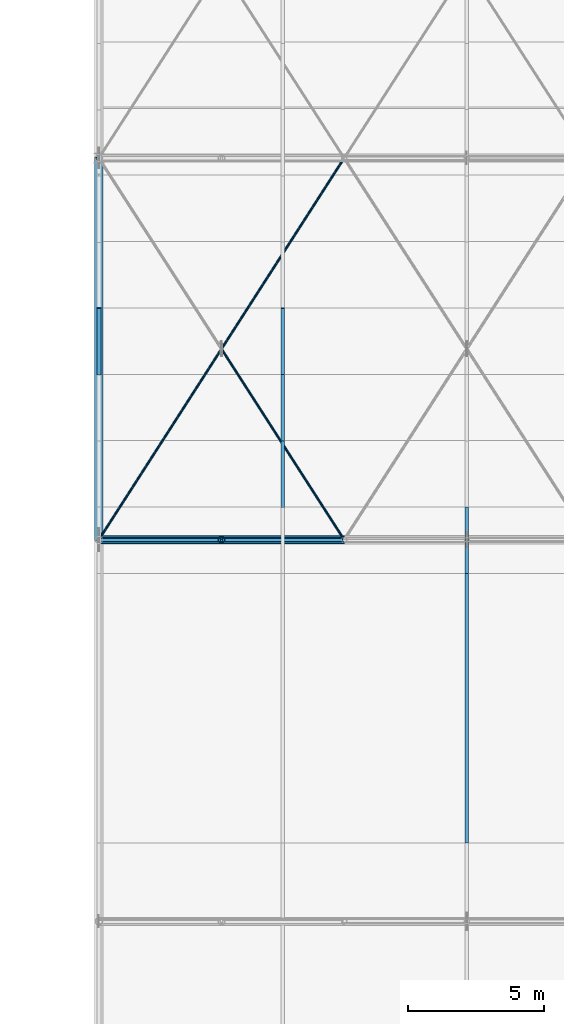
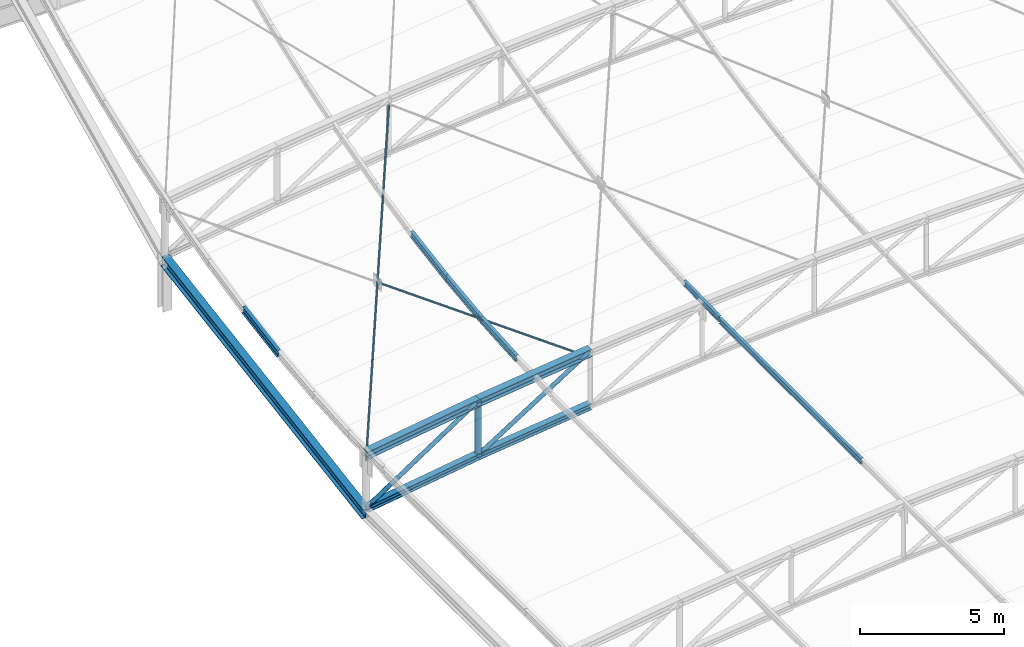
# One storey, part 172 of 262: 15 members, 1 beam.
"""IFC4 building model written with IfcOpenShell, lengths in metres."""

from ifc_helpers import new_model, si_unit, derived_unit, direction, frame, origin, origin_2d, place, context, subcontext, project, spatial, hollow_circle, i_section, extrude, material, material_profile, profile_set, type_object, element, save


model = new_model("IFC4")

# Units and contexts
model_context = context("Model", 3, precision=1e-05, world=origin(), true_north=direction((0.0, 1.0)))
body_context = subcontext(model_context, "Body", "Model", "MODEL_VIEW")
ifc_project = project(units=[si_unit("LENGTHUNIT", "METRE"), si_unit("AREAUNIT", "SQUARE_METRE"), si_unit("VOLUMEUNIT", "CUBIC_METRE"), si_unit("PLANEANGLEUNIT", "RADIAN"), si_unit("MASSUNIT", "GRAM", prefix="KILO"), derived_unit("THERMALTRANSMITTANCEUNIT", [(si_unit("POWERUNIT", "WATT"), 1), (si_unit("LENGTHUNIT", "METRE"), -2), (si_unit("THERMODYNAMICTEMPERATUREUNIT", "KELVIN"), -1)])], contexts=[model_context])

# Site, building, storey
site_placement = place(None, origin())
site = spatial("IfcSite", under=ifc_project, at=site_placement, CompositionType="ELEMENT")
building_placement = place(site_placement, origin())
building = spatial("IfcBuilding", under=site, at=building_placement, Name="Almenara Railside Exhibition Hall", CompositionType="ELEMENT")
storey_placement = place(building_placement, frame((0.0, 0.0, 21.699951171875)))
storey = spatial("IfcBuildingStorey", under=building, at=storey_placement, Name="RF", CompositionType="ELEMENT", Elevation=21.699951171875)

# Members
ifc_material = material(Name="Structural steel S355JR", Category="steel")
ifc_material_profile_1 = material_profile(ifc_material, i_section(OverallWidth=0.260009765625, OverallDepth=0.260009765625, WebThickness=0.010009765625, FlangeThickness=0.017578125, FilletRadius=0.02392578125, at=origin_2d()), Name="HEB 260")
ifc_profile_set_1 = profile_set([ifc_material_profile_1], Name="Structural steel S355JR")
member_type_1 = type_object("IfcMemberType", Name="Arched Truss Bottom Chord HEB 260 S355JR", PredefinedType="CHORD", material=ifc_profile_set_1)
member_1_placement = place(storey_placement, frame((138.0, 104.0, -9.585205078125), z_axis=(0.989021203369, 0.0, 0.147773675894), x_axis=(0.0, 1.0, 0.0)))
element("IfcMember", 1, at=member_1_placement, inside=storey, type_object=member_type_1, Name="MEM-BC-V2-05-00", PredefinedType="CHORD", context=body_context, shape_type="SweptSolid", body=[
    extrude(i_section(OverallWidth=0.260009765625, OverallDepth=0.260009765625, WebThickness=0.010009765625, FlangeThickness=0.017578125, FilletRadius=0.02392578125, at=origin_2d()), origin(), (0.0, 0.0, 1.0), 4.550048828125),
])
member_2_placement = place(storey_placement, frame((142.5, 104.0, -8.912841796875), z_axis=(0.992618705116, 0.0, 0.12127698155), x_axis=(0.0, 1.0, 0.0)))
element("IfcMember", 2, at=member_2_placement, inside=storey, type_object=member_type_1, Name="MEM-BC-V2-05-01", PredefinedType="CHORD", context=body_context, shape_type="SweptSolid", body=[
    extrude(i_section(OverallWidth=0.260009765625, OverallDepth=0.260009765625, WebThickness=0.010009765625, FlangeThickness=0.017578125, FilletRadius=0.02392578125, at=origin_2d()), origin(), (0.0, 0.0, 1.0), 4.533447265625),
])
ifc_material_profile_2 = material_profile(ifc_material, i_section(OverallWidth=0.300048828125, OverallDepth=0.320068359375, WebThickness=0.011474609375, FlangeThickness=0.0205078125, FilletRadius=0.027099609375, at=origin_2d()), Name="HEB 320")
ifc_profile_set_2 = profile_set([ifc_material_profile_2], Name="Structural steel S355JR")
member_type_2 = type_object("IfcMemberType", Name="Arched Truss Top Chord HEB 320 S355JR", PredefinedType="CHORD", material=ifc_profile_set_2)
member_3_placement = place(storey_placement, frame((138.0, 104.0, -7.28515625), z_axis=(0.9890290442, 0.0, 0.147721189165), x_axis=(0.0, 1.0, 0.0)))
element("IfcMember", 3, at=member_3_placement, inside=storey, type_object=member_type_2, Name="MEM-TC-V2-05-00", PredefinedType="CHORD", context=body_context, shape_type="SweptSolid", body=[
    extrude(i_section(OverallWidth=0.300048828125, OverallDepth=0.320068359375, WebThickness=0.011474609375, FlangeThickness=0.0205078125, FilletRadius=0.027099609375, at=origin_2d()), origin(), (0.0, 0.0, 1.0), 4.5498046875),
])
member_4_placement = place(storey_placement, frame((142.5, 104.0, -6.613037109375), z_axis=(0.992612220818, 0.0, 0.121330041965), x_axis=(0.0, 1.0, 0.0)))
element("IfcMember", 4, at=member_4_placement, inside=storey, type_object=member_type_2, Name="MEM-TC-V2-05-01", PredefinedType="CHORD", context=body_context, shape_type="SweptSolid", body=[
    extrude(i_section(OverallWidth=0.300048828125, OverallDepth=0.320068359375, WebThickness=0.011474609375, FlangeThickness=0.0205078125, FilletRadius=0.027099609375, at=origin_2d()), origin(), (0.0, 0.0, 1.0), 4.533447265625),
])
ifc_material_profile_3 = material_profile(ifc_material, hollow_circle(Radius=0.04443359375, WallThickness=0.00390625, at=origin_2d()), Name="CHS 88.9x4")
ifc_profile_set_3 = profile_set([ifc_material_profile_3], Name="Structural steel S355JR")
member_type_3 = type_object("IfcMemberType", Name="Canopy Tie Brace CHS 88.9x4 S355JR", PredefinedType="BRACE", material=ifc_profile_set_3)
member_5_placement = place(storey_placement, frame((138.0, 104.0, -7.565185546875), z_axis=(0.529240705516, 0.823263319692, 0.205284636724), x_axis=(-0.841178475377, 0.540757591313, 0.0)))
element("IfcMember", 5, at=member_5_placement, inside=storey, type_object=member_type_3, Name="MEM-WB-V2-WB-CHS89-05-00-C", PredefinedType="BRACE", context=body_context, shape_type="SweptSolid", body=[
    extrude(hollow_circle(Radius=0.04443359375, WallThickness=0.00390625, at=origin_2d()), origin(), (0.0, 0.0, 1.0), 17.005615234375),
])
member_6_placement = place(storey_placement, frame((147.0, 104.0, -6.343017578125), z_axis=(-0.539698970492, 0.839515369924, 0.062761173594), x_axis=(-0.841173681351, -0.540765048614, 0.0)))
element("IfcMember", 6, at=member_6_placement, inside=storey, type_object=member_type_3, Name="MEM-WB-V2-WB-CHS89-05-00-S1", PredefinedType="BRACE", context=body_context, shape_type="SweptSolid", body=[
    extrude(hollow_circle(Radius=0.04443359375, WallThickness=0.00390625, at=origin_2d()), origin(), (0.0, 0.0, 1.0), 8.28955078125),
])
ifc_material_profile_4 = material_profile(ifc_material, i_section(OverallWidth=0.14990234375, OverallDepth=0.300048828125, WebThickness=0.007080078125, FlangeThickness=0.0107421875, FilletRadius=0.014892578125, at=origin_2d()), Name="IPE 300")
ifc_profile_set_4 = profile_set([ifc_material_profile_4], Name="Structural steel S355JR")
member_type_4 = type_object("IfcMemberType", Name="East Hall Ridge Purlin IPE 300 S355JR", PredefinedType="PURLIN", material=ifc_profile_set_4)
member_7_placement = place(storey_placement, frame((138.0, 110.069580078125, -6.70751953125), z_axis=(0.0, 0.986449960692, 0.164062412058), x_axis=(-1.0, 0.0, 0.0)))
element("IfcMember", 7, at=member_7_placement, inside=storey, type_object=member_type_4, Name="MEM-PR-V2-PR-IPE300-00-19", PredefinedType="PURLIN", context=body_context, shape_type="SweptSolid", body=[
    extrude(i_section(OverallWidth=0.14990234375, OverallDepth=0.300048828125, WebThickness=0.007080078125, FlangeThickness=0.0107421875, FilletRadius=0.014892578125, at=origin_2d()), origin(), (0.0, 0.0, 1.0), 2.47021484375),
])
ifc_material_profile_5 = material_profile(ifc_material, i_section(OverallWidth=0.135009765625, OverallDepth=0.27001953125, WebThickness=0.006591796875, FlangeThickness=0.01025390625, FilletRadius=0.014892578125, at=origin_2d()), Name="IPE 270")
ifc_profile_set_5 = profile_set([ifc_material_profile_5], Name="Structural steel S355JR")
member_type_5 = type_object("IfcMemberType", Name="East Hall Standard Purlin IPE 270 S355JR", PredefinedType="PURLIN", material=ifc_profile_set_5)
member_8_placement = place(storey_placement, frame((144.75, 105.1962890625, -6.31884765625), z_axis=(0.0, 0.997528729247, 0.070259763216), x_axis=(-1.0, 0.0, 0.0)))
element("IfcMember", 8, at=member_8_placement, inside=storey, type_object=member_type_5, Name="MEM-PR-V2-PR-IPE270-01-17", PredefinedType="PURLIN", context=body_context, shape_type="SweptSolid", body=[
    extrude(i_section(OverallWidth=0.135009765625, OverallDepth=0.27001953125, WebThickness=0.006591796875, FlangeThickness=0.01025390625, FilletRadius=0.014892578125, at=origin_2d()), origin(), (0.0, 0.0, 1.0), 2.44287109375),
])
member_9_placement = place(storey_placement, frame((144.75, 107.633056640625, -6.148681640625), z_axis=(0.0, 0.993105700961, 0.117222296166), x_axis=(-1.0, 0.0, 0.0)))
element("IfcMember", 9, at=member_9_placement, inside=storey, type_object=member_type_5, Name="MEM-PR-V2-PR-IPE270-01-18", PredefinedType="PURLIN", context=body_context, shape_type="SweptSolid", body=[
    extrude(i_section(OverallWidth=0.135009765625, OverallDepth=0.27001953125, WebThickness=0.006591796875, FlangeThickness=0.01025390625, FilletRadius=0.014892578125, at=origin_2d()), origin(), (0.0, 0.0, 1.0), 2.453369140625),
])
member_10_placement = place(storey_placement, frame((144.75, 110.069580078125, -5.86328125), z_axis=(0.0, 0.986449960692, 0.164062412058), x_axis=(-1.0, 0.0, 0.0)))
element("IfcMember", 10, at=member_10_placement, inside=storey, type_object=member_type_5, Name="MEM-PR-V2-PR-IPE270-01-19", PredefinedType="PURLIN", context=body_context, shape_type="SweptSolid", body=[
    extrude(i_section(OverallWidth=0.135009765625, OverallDepth=0.27001953125, WebThickness=0.006591796875, FlangeThickness=0.01025390625, FilletRadius=0.014892578125, at=origin_2d()), origin(), (0.0, 0.0, 1.0), 2.47021484375),
])
ifc_material_profile_6 = material_profile(ifc_material, i_section(OverallWidth=0.1201171875, OverallDepth=0.239990234375, WebThickness=0.006103515625, FlangeThickness=0.009765625, FilletRadius=0.014892578125, at=origin_2d()), Name="IPE 240")
ifc_profile_set_6 = profile_set([ifc_material_profile_6], Name="Structural steel S355JR")
member_type_6 = type_object("IfcMemberType", Name="Scroll Roof Purlin IPE 240 S355JR", PredefinedType="PURLIN", material=ifc_profile_set_6)
member_11_placement = place(storey_placement, frame((151.5, 92.8798828125, -5.582275390625), z_axis=(0.0, 1.0, 0.0), x_axis=(-1.0, 0.0, 0.0)))
element("IfcMember", 11, at=member_11_placement, inside=storey, type_object=member_type_6, Name="MEM-PR-V2-PR-IPE240-02-15", PredefinedType="PURLIN", context=body_context, shape_type="SweptSolid", body=[
    extrude(i_section(OverallWidth=0.1201171875, OverallDepth=0.239990234375, WebThickness=0.006103515625, FlangeThickness=0.009765625, FilletRadius=0.014892578125, at=origin_2d()), origin(), (0.0, 0.0, 1.0), 9.879638671875),
])
member_12_placement = place(storey_placement, frame((151.5, 102.759521484375, -5.5322265625), z_axis=(0.0, 0.999725289903, 0.023438104182), x_axis=(-1.0, 0.0, 0.0)))
element("IfcMember", 12, at=member_12_placement, inside=storey, type_object=member_type_6, Name="MEM-PR-V2-PR-IPE240-02-16", PredefinedType="PURLIN", context=body_context, shape_type="SweptSolid", body=[
    extrude(i_section(OverallWidth=0.1201171875, OverallDepth=0.239990234375, WebThickness=0.006103515625, FlangeThickness=0.009765625, FilletRadius=0.014892578125, at=origin_2d()), origin(), (0.0, 0.0, 1.0), 2.4375),
])

# Beam
ifc_material_profile_7 = material_profile(ifc_material, i_section(OverallWidth=0.300048828125, OverallDepth=0.449951171875, WebThickness=0.013916015625, FlangeThickness=0.02587890625, FilletRadius=0.027099609375, at=origin_2d()), Name="HEB 450")
ifc_profile_set_7 = profile_set([ifc_material_profile_7], Name="Structural steel S355JR")
beam_type = type_object("IfcBeamType", Name="Steel Roof Eaves Tie Girder HEB 450 S355JR", PredefinedType="USERDEFINED", material=ifc_profile_set_7)
beam_placement = place(storey_placement, frame((138.0, 104.0, -9.81005859375), z_axis=(0.0, 0.98712458386, 0.15995329299), x_axis=(-1.0, 0.0, 0.0)))
element("IfcBeam", 13, at=beam_placement, inside=storey, type_object=beam_type, Name="Beam 0985", ObjectType="GIRDER", PredefinedType="USERDEFINED", context=body_context, shape_type="SweptSolid", body=[
    extrude(i_section(OverallWidth=0.300048828125, OverallDepth=0.449951171875, WebThickness=0.013916015625, FlangeThickness=0.02587890625, FilletRadius=0.027099609375, at=origin_2d()), origin(), (0.0, 0.0, 1.0), 14.1826171875),
])

# Members
ifc_material_profile_8 = material_profile(ifc_material, hollow_circle(Radius=0.084228515625, WallThickness=0.006103515625, at=origin_2d()), Name="CHS 168.3x6")
ifc_profile_set_8 = profile_set([ifc_material_profile_8], Name="Structural steel S355JR")
member_type_7 = type_object("IfcMemberType", Name="Truss End Diagonal CHS 168.3x6 S355JR", PredefinedType="BRACE", material=ifc_profile_set_8)
member_13_placement = place(storey_placement, frame((138.0, 104.0, -9.585205078125), z_axis=(0.834424544227, 0.0, 0.551122200598), x_axis=(0.0, 1.0, 0.0)))
element("IfcMember", 14, at=member_13_placement, inside=storey, type_object=member_type_7, Name="MEM-TD-V2-05-00", PredefinedType="BRACE", context=body_context, shape_type="SweptSolid", body=[
    extrude(hollow_circle(Radius=0.084228515625, WallThickness=0.006103515625, at=origin_2d()), origin(), (0.0, 0.0, 1.0), 5.392822265625),
])
member_14_placement = place(storey_placement, frame((142.5, 104.0, -8.912841796875), z_axis=(0.8448315064, 0.0, 0.535032453028), x_axis=(0.0, 1.0, 0.0)))
element("IfcMember", 15, at=member_14_placement, inside=storey, type_object=member_type_7, Name="MEM-TD-V2-05-01", PredefinedType="BRACE", context=body_context, shape_type="SweptSolid", body=[
    extrude(hollow_circle(Radius=0.084228515625, WallThickness=0.006103515625, at=origin_2d()), origin(), (0.0, 0.0, 1.0), 5.326416015625),
])
ifc_material_profile_9 = material_profile(ifc_material, hollow_circle(Radius=0.122314453125, WallThickness=0.008056640625, at=origin_2d()), Name="CHS 244.5x8")
ifc_profile_set_9 = profile_set([ifc_material_profile_9], Name="Structural steel S355JR")
member_type_8 = type_object("IfcMemberType", Name="Truss Haunch Vertical Strut CHS 244.5x8 S355JR", PredefinedType="BRACE", material=ifc_profile_set_9)
member_15_placement = place(storey_placement, frame((142.5, 104.0, -8.912841796875), z_axis=(0.0, 0.0, 1.0), x_axis=(1.0, 0.0, 0.0)))
element("IfcMember", 16, at=member_15_placement, inside=storey, type_object=member_type_8, Name="MEM-TV-V2-05-01", PredefinedType="BRACE", context=body_context, shape_type="SweptSolid", body=[
    extrude(hollow_circle(Radius=0.122314453125, WallThickness=0.008056640625, at=origin_2d()), origin(), (0.0, 0.0, 1.0), 2.2998046875),
])

save(model, "model.ifc")
